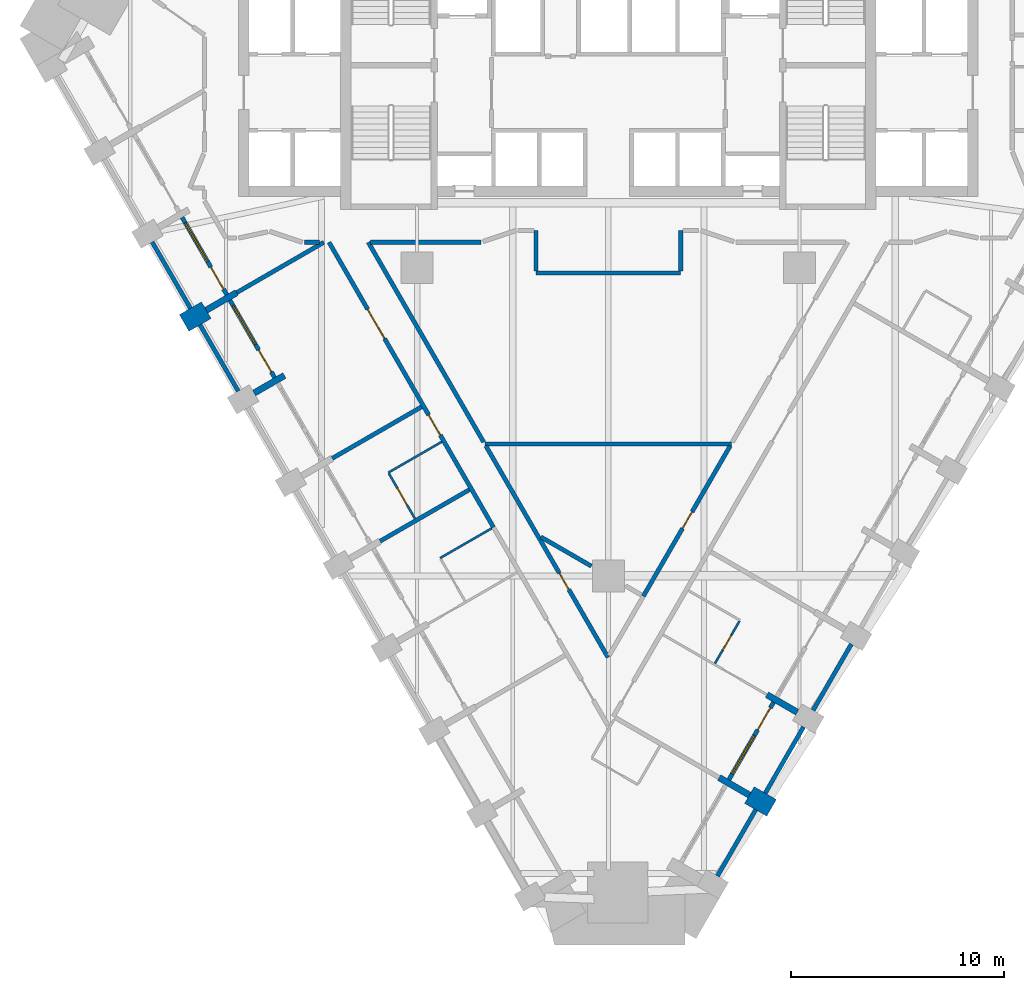
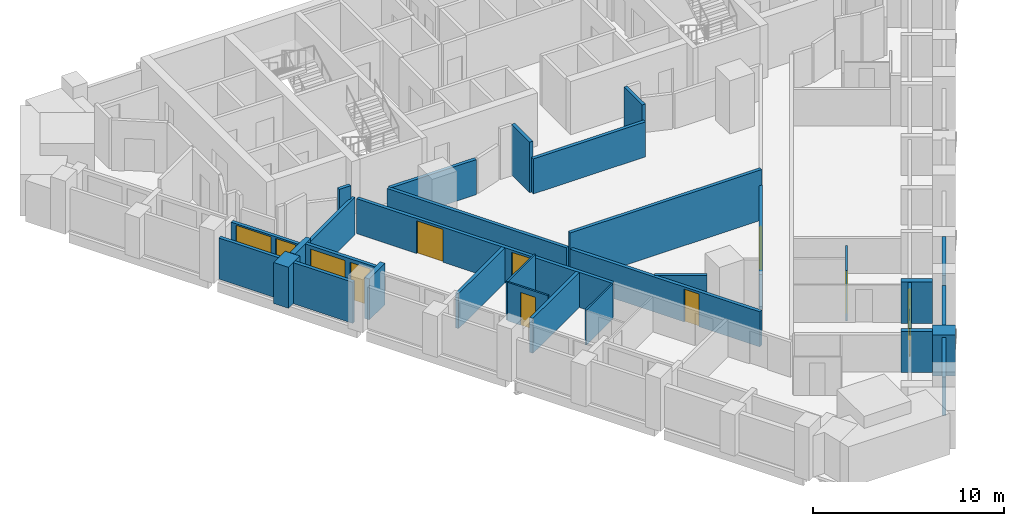
# One storey, part 4 of 11: 32 walls, 9 doors, 3 windows, 12 openings.
"""IFC4 building model written with IfcOpenShell, lengths in metres."""

from ifc_helpers import new_model, si_unit, direction, frame, frame_2d, origin, place, context, subcontext, project, spatial, polyline, rectangle, outline, extrude, material, layer, layer_set, type_object, element, fill, save


model = new_model("IFC4")

# Units and contexts
model_context = context("Model", 3, precision=1e-05, world=origin(), true_north=direction((0.0, 1.0)))
body_context = subcontext(model_context, "Body", "Model", "MODEL_VIEW")
ifc_project = project(units=[si_unit("LENGTHUNIT", "METRE"), si_unit("AREAUNIT", "SQUARE_METRE"), si_unit("VOLUMEUNIT", "CUBIC_METRE"), si_unit("PLANEANGLEUNIT", "RADIAN"), si_unit("MASSUNIT", "GRAM", prefix="KILO")], contexts=[model_context])

# Site, building, storey
site_placement = place(None, origin())
site = spatial("IfcSite", under=ifc_project, at=site_placement, CompositionType="ELEMENT")
building_placement = place(site_placement, origin())
building = spatial("IfcBuilding", under=site, at=building_placement, Name="Calabash Gate Tower", CompositionType="ELEMENT")
storey_placement = place(building_placement, frame((0.0, 0.0, 125.800048828125)))
storey = spatial("IfcBuildingStorey", under=building, at=storey_placement, Name="L29", CompositionType="ELEMENT", Elevation=125.800048828125)

# Walls
ifc_material_1 = material(Name="Terracotta brick masonry, exposed face", Category="masonry")
ifc_layer_1 = layer(ifc_material_1, 1.199951171875)
ifc_layer_set_1 = layer_set([ifc_layer_1], Name="Brick end wall 1200")
wall_type_1 = type_object("IfcWallType", Name="Brick end wall 1200", PredefinedType="SOLIDWALL", material=ifc_layer_set_1)
wall_1_placement = place(storey_placement, frame((-19.957763671875, -0.096923828125, 0.0), z_axis=(0.0, 0.0, 1.0), x_axis=(0.865955154139, 0.50012165622, 0.0)))
element("IfcWall", 1, at=wall_1_placement, inside=storey, type_object=wall_type_1, Name="Brick pier S08 SW0.3", PredefinedType="SOLIDWALL", context=body_context, shape_type="SweptSolid", body=[
    extrude(rectangle(XDim=1.199951171875, YDim=0.89990234375, at=frame_2d((0.60009765625, 0.0))), origin(), (0.0, 0.0, 1.0), 2.6298828125),
])
wall_2_placement = place(storey_placement, frame((7.67626953125, -22.9091796875, 0.0), z_axis=(0.0, 0.0, 1.0), x_axis=(-0.866094119867, 0.499880961361, 0.0)))
element("IfcWall", 2, at=wall_2_placement, inside=storey, type_object=wall_type_1, Name="Brick pier S08 SE2.1", PredefinedType="SOLIDWALL", context=body_context, shape_type="SweptSolid", body=[
    extrude(rectangle(XDim=1.199951171875, YDim=0.89990234375, at=frame_2d((0.60009765625, 0.0))), origin(), (0.0, 0.0, 1.0), 2.6279296875),
])
ifc_material_2 = material(Name="Terracotta brick masonry, exposed face", Category="masonry")
ifc_layer_2 = layer(ifc_material_2, 0.300048828125)
ifc_layer_set_2 = layer_set([ifc_layer_2], Name="Brick loggia cheek wall 300")
wall_type_2 = type_object("IfcWallType", Name="Brick loggia cheek wall 300", PredefinedType="SOLIDWALL", material=ifc_layer_set_2)
wall_3_placement = place(storey_placement, frame((-18.918701171875, 0.503173828125, 0.0), z_axis=(0.0, 0.0, 1.0), x_axis=(0.866040211805, 0.499974350878, 0.0)))
element("IfcWall", 3, at=wall_3_placement, inside=storey, type_object=wall_type_2, Name="Loggia cheek S08 SW0.3", PredefinedType="SOLIDWALL", context=body_context, shape_type="SweptSolid", body=[
    extrude(rectangle(XDim=1.64990234375, YDim=0.300048828125, at=frame_2d((0.824951171875, 0.0))), origin(), (0.0, 0.0, 1.0), 2.64990234375),
])
wall_4_placement = place(storey_placement, frame((-16.66845703125, -3.39404296875, 0.0), z_axis=(0.0, 0.0, 1.0), x_axis=(0.866003217194, 0.500038426333, 0.0)))
element("IfcWall", 4, at=wall_4_placement, inside=storey, type_object=wall_type_2, Name="Loggia cheek S08 SW0.4", PredefinedType="SOLIDWALL", context=body_context, shape_type="SweptSolid", body=[
    extrude(rectangle(XDim=1.649658203125, YDim=0.300048828125, at=frame_2d((0.82470703125, 0.0))), origin(), (0.0, 0.0, 1.0), 2.6279296875),
])
wall_5_placement = place(storey_placement, frame((6.636962890625, -22.309326171875, 0.0), z_axis=(0.0, 0.0, 1.0), x_axis=(-0.866040211805, 0.499974350878, 0.0)))
element("IfcWall", 5, at=wall_5_placement, inside=storey, type_object=wall_type_2, Name="Loggia cheek S08 SE2.1", PredefinedType="SOLIDWALL", context=body_context, shape_type="SweptSolid", body=[
    extrude(rectangle(XDim=1.64990234375, YDim=0.300048828125, at=frame_2d((0.824951171875, 0.0))), origin(), (0.0, 0.0, 1.0), 2.6279296875),
])
wall_6_placement = place(storey_placement, frame((8.886962890625, -18.412109375, 0.0), z_axis=(0.0, 0.0, 1.0), x_axis=(-0.866040211805, 0.499974350878, 0.0)))
element("IfcWall", 6, at=wall_6_placement, inside=storey, type_object=wall_type_2, Name="Loggia cheek S08 SE2.2", PredefinedType="SOLIDWALL", context=body_context, shape_type="SweptSolid", body=[
    extrude(rectangle(XDim=1.64990234375, YDim=0.300048828125, at=frame_2d((0.824951171875, 0.0))), origin(), (0.0, 0.0, 1.0), 2.64990234375),
])

# Wall, opening, door
ifc_material_3 = material(Name="Gypsum board on steel studs, mineral wool", Category="steel")
ifc_layer_3 = layer(ifc_material_3, 0.10009765625)
ifc_layer_set_3 = layer_set([ifc_layer_3], Name="Partition 100 gypsum board")
wall_type_3 = type_object("IfcWallType", Name="Partition 100 gypsum board", PredefinedType="PARTITIONING", material=ifc_layer_set_3)
wall_7_placement = place(storey_placement, frame((5.014404296875, -16.1162109375, 0.0), z_axis=(0.0, 0.0, 1.0), x_axis=(0.500617411337, 0.865668647617, 0.0)))
wall_7 = element("IfcWall", 7, at=wall_7_placement, inside=storey, type_object=wall_type_3, Name="Partition", PredefinedType="PARTITIONING", context=body_context, shape_type="SweptSolid", body=[
    extrude(rectangle(XDim=2.2978515625, YDim=0.10009765625, at=frame_2d((1.14892578125, 0.0))), origin(), (0.0, 0.0, 1.0), 3.22998046875),
])
opening_1_placement = place(wall_7_placement, frame((0.748046875, 0.0, 0.0)))
opening_1 = element("IfcOpeningElement", 8, at=opening_1_placement, cuts=wall_7, Name="Opening 28-30-009", PredefinedType="OPENING", context=body_context, shape_type="SweptSolid", body=[
    extrude(rectangle(XDim=0.800048828125, YDim=2.10009765625, at=frame_2d((0.39990234375, 1.050048828125))), frame((0.0, 0.06005859375, 0.0), z_axis=(0.0, -1.0, 0.0), x_axis=(1.0, 0.0, 0.0)), (0.0, 0.0, 1.0), 0.1201171875),
])
ifc_material_4 = material(Name="Painted timber door", Category="wood")
door_type_1 = type_object("IfcDoorType", Name="GD5 En-suite door 800x2100", OperationType="NOTDEFINED", PredefinedType="DOOR", material=ifc_material_4)
door_1_placement = place(opening_1_placement, origin())
door_1 = element("IfcDoor", 9, at=door_1_placement, inside=storey, type_object=door_type_1, Name="En-suite door", OperationType="SINGLE_SWING_RIGHT", OverallHeight=2.10009765625, OverallWidth=0.800048828125, PredefinedType="DOOR", context=body_context, shape_type="SweptSolid", body=[
    extrude(rectangle(XDim=0.800048828125, YDim=2.10009765625, at=frame_2d((0.39990234375, 1.050048828125))), frame((0.0, 0.02490234375, 0.0), z_axis=(0.0, -1.0, 0.0), x_axis=(1.0, 0.0, 0.0)), (0.0, 0.0, 1.0), 0.050048828125),
])
fill(opening_1, door_1)

# Wall
wall_8_placement = place(storey_placement, frame((-7.914306640625, -11.156982421875, 0.0), z_axis=(0.0, 0.0, 1.0), x_axis=(0.866288634608, 0.499543793424, 0.0)))
element("IfcWall", 10, at=wall_8_placement, inside=storey, type_object=wall_type_3, Name="Partition", PredefinedType="PARTITIONING", context=body_context, shape_type="SweptSolid", body=[
    extrude(rectangle(XDim=2.7998046875, YDim=0.10009765625, at=frame_2d((1.39990234375, 0.0))), origin(), (0.0, 0.0, 1.0), 2.24169921875),
])

# Wall, opening, door
wall_9_placement = place(storey_placement, frame((-10.325927734375, -7.179931640625, 0.0), z_axis=(0.0, 0.0, 1.0), x_axis=(0.500018594424, -0.866014668023, 0.0)))
wall_9 = element("IfcWall", 11, at=wall_9_placement, inside=storey, type_object=wall_type_3, Name="Partition", PredefinedType="PARTITIONING", context=body_context, shape_type="SweptSolid", body=[
    extrude(rectangle(XDim=2.4501953125, YDim=0.10009765625, at=frame_2d((1.22509765625, 0.0))), origin(), (0.0, 0.0, 1.0), 2.473388671875),
])
opening_2_placement = place(wall_9_placement, frame((0.800048828125, 0.0, 0.0)))
opening_2 = element("IfcOpeningElement", 12, at=opening_2_placement, cuts=wall_9, Name="Opening 28-30-003", PredefinedType="OPENING", context=body_context, shape_type="SweptSolid", body=[
    extrude(rectangle(XDim=0.89990234375, YDim=2.10009765625, at=frame_2d((0.449951171875, 1.050048828125))), frame((0.0, 0.06005859375, 0.0), z_axis=(0.0, -1.0, 0.0), x_axis=(1.0, 0.0, 0.0)), (0.0, 0.0, 1.0), 0.1201171875),
])
ifc_material_5 = material(Name="Painted timber door", Category="wood")
door_type_2 = type_object("IfcDoorType", Name="GD6 Accessible en-suite door 900x2100", OperationType="NOTDEFINED", PredefinedType="DOOR", material=ifc_material_5)
door_2_placement = place(opening_2_placement, origin())
door_2 = element("IfcDoor", 13, at=door_2_placement, inside=storey, type_object=door_type_2, Name="Accessible en-suite door", OperationType="SINGLE_SWING_LEFT", OverallHeight=2.10009765625, OverallWidth=0.89990234375, PredefinedType="DOOR", context=body_context, shape_type="SweptSolid", body=[
    extrude(rectangle(XDim=0.89990234375, YDim=2.10009765625, at=frame_2d((0.449951171875, 1.050048828125))), frame((0.0, 0.02490234375, 0.0), z_axis=(0.0, -1.0, 0.0), x_axis=(1.0, 0.0, 0.0)), (0.0, 0.0, 1.0), 0.050048828125),
])
fill(opening_2, door_2)

# Wall
wall_10_placement = place(storey_placement, frame((-10.350830078125, -7.13671875, 0.0), z_axis=(0.0, 0.0, 1.0), x_axis=(0.86625706142, 0.499598542372, 0.0)))
element("IfcWall", 14, at=wall_10_placement, inside=storey, type_object=wall_type_3, Name="Partition", PredefinedType="PARTITIONING", context=body_context, shape_type="SweptSolid", body=[
    extrude(rectangle(XDim=2.89990234375, YDim=0.10009765625, at=frame_2d((1.449951171875, 0.0))), origin(), (0.0, 0.0, 1.0), 2.473388671875),
])

# Wall, opening, door
ifc_material_6 = material(Name="Gypsum board on steel studs, mineral wool", Category="steel")
ifc_layer_4 = layer(ifc_material_6, 0.199951171875)
ifc_layer_set_4 = layer_set([ifc_layer_4], Name="Partition 200 gypsum board EI 60")
wall_type_4 = type_object("IfcWallType", Name="Partition 200 gypsum board EI 60", PredefinedType="PARTITIONING", material=ifc_layer_set_4)
wall_11_placement = place(storey_placement, frame((1.646728515625, -12.948486328125, 0.0), z_axis=(0.0, 0.0, 1.0), x_axis=(0.500209850425, 0.865904212681, 0.0)))
wall_11 = element("IfcWall", 15, at=wall_11_placement, inside=storey, type_object=wall_type_4, Name="Partition", PredefinedType="PARTITIONING", context=body_context, shape_type="SweptSolid", body=[
    extrude(rectangle(XDim=8.16552734375, YDim=0.199951171875, at=frame_2d((4.082763671875, 0.0))), origin(), (0.0, 0.0, 1.0), 2.24169921875),
])
opening_3_placement = place(wall_11_placement, frame((3.681884765625, 0.0, 0.0)))
opening_3 = element("IfcOpeningElement", 16, at=opening_3_placement, cuts=wall_11, Name="Opening 28-30-013", PredefinedType="OPENING", context=body_context, shape_type="SweptSolid", body=[
    extrude(rectangle(XDim=0.89990234375, YDim=2.10009765625, at=frame_2d((0.449951171875, 1.050048828125))), frame((0.0, 0.10986328125, 0.0), z_axis=(0.0, -1.0, 0.0), x_axis=(1.0, 0.0, 0.0)), (0.0, 0.0, 1.0), 0.219970703125),
])
ifc_material_7 = material(Name="Steel fire door set with fire-resisting glazing", Category="steel")
door_type_3 = type_object("IfcDoorType", Name="SD3 Store door 900x2100", OperationType="NOTDEFINED", PredefinedType="DOOR", material=ifc_material_7)
door_3_placement = place(opening_3_placement, origin())
door_3 = element("IfcDoor", 17, at=door_3_placement, inside=storey, type_object=door_type_3, Name="Store door", OperationType="SINGLE_SWING_RIGHT", OverallHeight=2.10009765625, OverallWidth=0.89990234375, PredefinedType="DOOR", context=body_context, shape_type="SweptSolid", body=[
    extrude(rectangle(XDim=0.89990234375, YDim=2.10009765625, at=frame_2d((0.449951171875, 1.050048828125))), frame((0.0, 0.02490234375, 0.0), z_axis=(0.0, -1.0, 0.0), x_axis=(1.0, 0.0, 0.0)), (0.0, 0.0, 1.0), 0.050048828125),
])
fill(opening_3, door_3)

# Wall
wall_12_placement = place(storey_placement, frame((-3.17138671875, -10.167724609375, 0.0), z_axis=(0.0, 0.0, 1.0), x_axis=(0.865863357012, -0.500280568265, 0.0)))
element("IfcWall", 18, at=wall_12_placement, inside=storey, type_object=wall_type_4, Name="Partition", PredefinedType="PARTITIONING", context=body_context, shape_type="SweptSolid", body=[
    extrude(rectangle(XDim=2.73876953125, YDim=0.199951171875, at=frame_2d((1.369384765625, 0.0))), origin(), (0.0, 0.0, 1.0), 2.24169921875),
])

# Wall, openings, doors
wall_13_placement = place(storey_placement, frame((-13.143310546875, 3.69970703125, 0.0), z_axis=(0.0, 0.0, 1.0), x_axis=(0.499816656841, -0.866131231133, 0.0)))
wall_13 = element("IfcWall", 19, at=wall_13_placement, inside=storey, type_object=wall_type_4, Name="Partition", PredefinedType="PARTITIONING", context=body_context, shape_type="SweptSolid", body=[
    extrude(rectangle(XDim=15.480224609375, YDim=0.199951171875, at=frame_2d((7.740234375, 0.0))), origin(), (0.0, 0.0, 1.0), 2.24169921875),
])
opening_4_placement = place(wall_13_placement, frame((3.640380859375, 0.0, 0.0)))
opening_4 = element("IfcOpeningElement", 20, at=opening_4_placement, cuts=wall_13, Name="Opening 28-30-001", PredefinedType="OPENING", context=body_context, shape_type="SweptSolid", body=[
    extrude(rectangle(XDim=1.60009765625, YDim=2.10009765625, at=frame_2d((0.800048828125, 1.050048828125))), frame((0.0, 0.10986328125, 0.0), z_axis=(0.0, -1.0, 0.0), x_axis=(1.0, 0.0, 0.0)), (0.0, 0.0, 1.0), 0.219970703125),
])
opening_5_placement = place(wall_13_placement, frame((9.380859375, 0.0, 0.0)))
opening_5 = element("IfcOpeningElement", 21, at=opening_5_placement, cuts=wall_13, Name="Opening 28-30-002", PredefinedType="OPENING", context=body_context, shape_type="SweptSolid", body=[
    extrude(rectangle(XDim=1.10009765625, YDim=2.10009765625, at=frame_2d((0.550048828125, 1.050048828125))), frame((0.0, 0.10986328125, 0.0), z_axis=(0.0, -1.0, 0.0), x_axis=(1.0, 0.0, 0.0)), (0.0, 0.0, 1.0), 0.219970703125),
])
ifc_material_8 = material(Name="Steel fire door set with fire-resisting glazing", Category="steel")
door_type_4 = type_object("IfcDoorType", Name="GD2 Accessible guest room entrance door 1100x2100", OperationType="NOTDEFINED", PredefinedType="DOOR", material=ifc_material_8)
door_4_placement = place(opening_5_placement, origin())
door_4 = element("IfcDoor", 22, at=door_4_placement, inside=storey, type_object=door_type_4, Name="Accessible guest room entrance door", OperationType="SINGLE_SWING_RIGHT", OverallHeight=2.10009765625, OverallWidth=1.10009765625, PredefinedType="DOOR", context=body_context, shape_type="SweptSolid", body=[
    extrude(rectangle(XDim=1.10009765625, YDim=2.10009765625, at=frame_2d((0.550048828125, 1.050048828125))), frame((0.0, 0.02490234375, 0.0), z_axis=(0.0, -1.0, 0.0), x_axis=(1.0, 0.0, 0.0)), (0.0, 0.0, 1.0), 0.050048828125),
])
fill(opening_5, door_4)
ifc_material_9 = material(Name="Steel fire door set with fire-resisting glazing", Category="steel")
door_type_5 = type_object("IfcDoorType", Name="LD1 Lounge double door 1600x2100", OperationType="NOTDEFINED", PredefinedType="DOOR", material=ifc_material_9)
door_5_placement = place(opening_4_placement, origin())
door_5 = element("IfcDoor", 23, at=door_5_placement, inside=storey, type_object=door_type_5, Name="Lounge double door", OperationType="DOUBLE_DOOR_SINGLE_SWING", OverallHeight=2.10009765625, OverallWidth=1.60009765625, PredefinedType="DOOR", context=body_context, shape_type="SweptSolid", body=[
    extrude(rectangle(XDim=1.60009765625, YDim=2.10009765625, at=frame_2d((0.800048828125, 1.050048828125))), frame((0.0, 0.02490234375, 0.0), z_axis=(0.0, -1.0, 0.0), x_axis=(1.0, 0.0, 0.0)), (0.0, 0.0, 1.0), 0.050048828125),
])
fill(opening_4, door_5)

# Wall
wall_14_placement = place(storey_placement, frame((-10.739501953125, -10.36328125, 0.0), z_axis=(0.0, 0.0, 1.0), x_axis=(0.866231677814, 0.499642552583, 0.0)))
element("IfcWall", 24, at=wall_14_placement, inside=storey, type_object=wall_type_4, Name="Partition", PredefinedType="PARTITIONING", context=body_context, shape_type="SweptSolid", body=[
    extrude(rectangle(XDim=4.849609375, YDim=0.199951171875, at=frame_2d((2.4248046875, 0.0))), origin(), (0.0, 0.0, 1.0), 2.24169921875),
])

# Wall, opening, door
wall_15_placement = place(storey_placement, frame((-5.7626953125, -5.8798828125, 0.0), z_axis=(0.0, 0.0, 1.0), x_axis=(0.500006842847, -0.866021453029, 0.0)))
wall_15 = element("IfcWall", 25, at=wall_15_placement, inside=storey, type_object=wall_type_4, Name="Partition", PredefinedType="PARTITIONING", context=body_context, shape_type="SweptSolid", body=[
    extrude(rectangle(XDim=11.493408203125, YDim=0.199951171875, at=frame_2d((5.74658203125, 0.0))), origin(), (0.0, 0.0, 1.0), 2.24169921875),
])
opening_6_placement = place(wall_15_placement, frame((6.914306640625, 0.0, 0.0)))
opening_6 = element("IfcOpeningElement", 26, at=opening_6_placement, cuts=wall_15, Name="Opening 28-30-012", PredefinedType="OPENING", context=body_context, shape_type="SweptSolid", body=[
    extrude(rectangle(XDim=0.89990234375, YDim=2.10009765625, at=frame_2d((0.449951171875, 1.050048828125))), frame((0.0, 0.10986328125, 0.0), z_axis=(0.0, -1.0, 0.0), x_axis=(1.0, 0.0, 0.0)), (0.0, 0.0, 1.0), 0.219970703125),
])
door_6_placement = place(opening_6_placement, origin())
door_6 = element("IfcDoor", 27, at=door_6_placement, inside=storey, type_object=door_type_3, Name="Store door", OperationType="SINGLE_SWING_RIGHT", OverallHeight=2.10009765625, OverallWidth=0.89990234375, PredefinedType="DOOR", context=body_context, shape_type="SweptSolid", body=[
    extrude(rectangle(XDim=0.89990234375, YDim=2.10009765625, at=frame_2d((0.449951171875, 1.050048828125))), frame((0.0, 0.02490234375, 0.0), z_axis=(0.0, -1.0, 0.0), x_axis=(1.0, 0.0, 0.0)), (0.0, 0.0, 1.0), 0.050048828125),
])
fill(opening_6, door_6)

# Walls
wall_16_placement = place(storey_placement, frame((-5.8125, -5.793212890625, 0.0), z_axis=(0.0, 0.0, 1.0), x_axis=(0.999999989135, 0.000147408763, 0.0)))
element("IfcWall", 28, at=wall_16_placement, inside=storey, type_object=wall_type_4, Name="Partition", PredefinedType="PARTITIONING", context=body_context, shape_type="SweptSolid", body=[
    extrude(rectangle(XDim=11.593505859375, YDim=0.199951171875, at=frame_2d((5.796875, 0.0))), origin(), (0.0, 0.0, 1.0), 3.22998046875),
])
wall_17_placement = place(storey_placement, frame((-12.989501953125, -6.46630859375, 0.0), z_axis=(0.0, 0.0, 1.0), x_axis=(0.866209889287, 0.49968032551, 0.0)))
element("IfcWall", 29, at=wall_17_placement, inside=storey, type_object=wall_type_4, Name="Partition", PredefinedType="PARTITIONING", context=body_context, shape_type="SweptSolid", body=[
    extrude(rectangle(XDim=4.849853515625, YDim=0.199951171875, at=frame_2d((2.4248046875, 0.0))), origin(), (0.0, 0.0, 1.0), 2.24169921875),
])
wall_18_placement = place(storey_placement, frame((-17.489990234375, 1.32861328125, 0.0), z_axis=(0.0, 0.0, 1.0), x_axis=(0.865884411482, 0.500244126355, 0.0)))
element("IfcWall", 30, at=wall_18_placement, inside=storey, type_object=wall_type_4, Name="Partition", PredefinedType="PARTITIONING", context=body_context, shape_type="SweptSolid", body=[
    extrude(rectangle(XDim=4.739501953125, YDim=0.199951171875, at=frame_2d((2.36962890625, 0.0))), origin(), (0.0, 0.0, 1.0), 2.384033203125),
])
wall_19_placement = place(storey_placement, frame((-3.400146484375, 2.25244140625, 0.0), z_axis=(0.0, 0.0, 1.0), x_axis=(1.0, 0.0, 0.0)))
element("IfcWall", 31, at=wall_19_placement, inside=storey, type_object=wall_type_4, Name="Partition", PredefinedType="PARTITIONING", context=body_context, shape_type="SweptSolid", body=[
    extrude(rectangle(XDim=6.800048828125, YDim=0.199951171875, at=frame_2d((3.39990234375, 0.0))), origin(), (0.0, 0.0, 1.0), 2.24169921875),
])
wall_20_placement = place(storey_placement, frame((-3.402099609375, 4.25048828125, 0.0), z_axis=(0.0, 0.0, 1.0), x_axis=(0.001028938362, -0.999999470643, 0.0)))
element("IfcWall", 32, at=wall_20_placement, inside=storey, type_object=wall_type_4, Name="Partition", PredefinedType="PARTITIONING", context=body_context, shape_type="SweptSolid", body=[
    extrude(rectangle(XDim=1.898193359375, YDim=0.199951171875, at=frame_2d((0.94921875, 0.0))), origin(), (0.0, 0.0, 1.0), 3.22998046875),
])
wall_21_placement = place(storey_placement, frame((-14.300048828125, 3.699462890625, 0.0), z_axis=(0.0, 0.0, 1.0), x_axis=(0.999998529944, -0.00171467512, 0.0)))
element("IfcWall", 33, at=wall_21_placement, inside=storey, type_object=wall_type_4, Name="Partition", PredefinedType="PARTITIONING", context=body_context, shape_type="SweptSolid", body=[
    extrude(rectangle(XDim=0.7119140625, YDim=0.199951171875, at=frame_2d((0.35595703125, 0.0))), origin(), (0.0, 0.0, 1.0), 3.22998046875),
])
wall_22_placement = place(storey_placement, frame((-11.29541015625, 3.69970703125, 0.0), z_axis=(0.0, 0.0, 1.0), x_axis=(0.500007885066, -0.866020851292, 0.0)))
element("IfcWall", 34, at=wall_22_placement, inside=storey, type_object=wall_type_4, Name="Partition", PredefinedType="PARTITIONING", context=body_context, shape_type="SweptSolid", body=[
    extrude(rectangle(XDim=10.859130859375, YDim=0.199951171875, at=frame_2d((5.4296875, 0.0))), origin(), (0.0, 0.0, 1.0), 2.24169921875),
])
wall_23_placement = place(storey_placement, frame((-11.1953125, 3.69970703125, 0.0), z_axis=(0.0, 0.0, 1.0), x_axis=(1.0, 0.0, 0.0)))
element("IfcWall", 35, at=wall_23_placement, inside=storey, type_object=wall_type_4, Name="Partition", PredefinedType="PARTITIONING", context=body_context, shape_type="SweptSolid", body=[
    extrude(rectangle(XDim=5.1953125, YDim=0.199951171875, at=frame_2d((2.59765625, 0.0))), origin(), (0.0, 0.0, 1.0), 2.24169921875),
])
wall_24_placement = place(storey_placement, frame((3.400146484375, 2.352294921875, 0.0), z_axis=(0.0, 0.0, 1.0), x_axis=(0.001028938362, 0.999999470643, 0.0)))
element("IfcWall", 36, at=wall_24_placement, inside=storey, type_object=wall_type_4, Name="Partition", PredefinedType="PARTITIONING", context=body_context, shape_type="SweptSolid", body=[
    extrude(rectangle(XDim=1.898193359375, YDim=0.199951171875, at=frame_2d((0.94921875, 0.0))), origin(), (0.0, 0.0, 1.0), 3.22998046875),
])
ifc_material_10 = material(Name="Terracotta brick masonry, perforated", Category="masonry")
ifc_layer_5 = layer(ifc_material_10, 0.199951171875)
ifc_layer_set_5 = layer_set([ifc_layer_5], Name="Terracotta jaali screen B")
wall_type_5 = type_object("IfcWallType", Name="Terracotta jaali screen B", PredefinedType="SOLIDWALL", material=ifc_layer_set_5)
wall_25_placement = place(storey_placement, frame((-21.463134765625, 3.71044921875, 0.0), z_axis=(0.0, 0.0, 1.0), x_axis=(0.500012057535, -0.866018442252, 0.0)))
element("IfcWall", 37, at=wall_25_placement, inside=storey, type_object=wall_type_5, Name="SCREEN B S08 SW0.3", PredefinedType="SOLIDWALL", context=body_context, shape_type="SweptSolid", body=[
    extrude(rectangle(XDim=3.60009765625, YDim=0.199951171875, at=frame_2d((1.800048828125, 0.0))), origin(), (0.0, 0.0, 1.0), 2.6298828125),
])
wall_26_placement = place(storey_placement, frame((-19.213134765625, -0.1865234375, 0.0), z_axis=(0.0, 0.0, 1.0), x_axis=(0.499982693035, -0.866035395735, 0.0)))
element("IfcWall", 38, at=wall_26_placement, inside=storey, type_object=wall_type_5, Name="SCREEN B S08 SW0.4", PredefinedType="SOLIDWALL", context=body_context, shape_type="SweptSolid", body=[
    extrude(rectangle(XDim=3.600341796875, YDim=0.199951171875, at=frame_2d((1.80029296875, 0.0))), origin(), (0.0, 0.0, 1.0), 2.6298828125),
])
wall_27_placement = place(storey_placement, origin())
element("IfcWall", 39, at=wall_27_placement, inside=storey, type_object=wall_type_5, Name="SCREEN B S08 SE2.1", PredefinedType="SOLIDWALL", context=body_context, shape_type="SweptSolid", body=[
    extrude(outline(polyline([(6.844970703125, -22.948974609375), (5.045166015625, -26.066162109375), (5.218505859375, -26.166259765625), (7.01806640625, -23.049072265625), (6.844970703125, -22.948974609375)])), origin(), (0.0, 0.0, 1.0), 2.449951171875),
])
for number, where, z_axis, x_axis, name in (
    (40, (7.381591796875, -22.219482421875, 0.0), (0.0, 0.0, 1.0), (0.500012057535, 0.866018442252, 0.0), "SCREEN B S08 SE2.2"),
    (41, (9.631591796875, -18.322509765625, 0.0), (0.0, 0.0, 1.0), (0.500012057535, 0.866018442252, 0.0), "SCREEN B S08 SE2.3"),
):
    element("IfcWall", number, at=place(storey_placement, frame(where, z_axis=z_axis, x_axis=x_axis)), inside=storey, type_object=wall_type_5, Name=name, PredefinedType="SOLIDWALL", context=body_context, shape_type="SweptSolid", body=[
        extrude(rectangle(XDim=3.60009765625, YDim=0.199951171875, at=frame_2d((1.800048828125, 0.0))), origin(), (0.0, 0.0, 1.0), 2.6298828125),
    ])

# Wall, openings, door, window
ifc_material_11 = material(Name="Aluminium framed window wall with insulated spandrel", Category="aluminium")
ifc_layer_6 = layer(ifc_material_11, 0.199951171875)
ifc_layer_set_6 = layer_set([ifc_layer_6], Name="Window wall 200")
wall_type_6 = type_object("IfcWallType", Name="Window wall 200", PredefinedType="ELEMENTEDWALL", material=ifc_layer_set_6)
wall_28_placement = place(storey_placement, frame((-20.054443359375, 4.870361328125, 0.0), z_axis=(0.0, 0.0, 1.0), x_axis=(0.500002543286, -0.866023935413, 0.0)))
wall_28 = element("IfcWall", 42, at=wall_28_placement, inside=storey, type_object=wall_type_6, Name="Window wall S08 SW0.3", PredefinedType="ELEMENTEDWALL", context=body_context, shape_type="SweptSolid", body=[
    extrude(rectangle(XDim=4.2001953125, YDim=0.199951171875, at=frame_2d((2.10009765625, 0.0))), origin(), (0.0, 0.0, 1.0), 2.449951171875),
])
opening_7_placement = place(wall_28_placement, frame((0.300048828125, 0.0, 0.60009765625)))
opening_7 = element("IfcOpeningElement", 43, at=opening_7_placement, cuts=wall_28, Name="Opening HW1L-1750", PredefinedType="OPENING", context=body_context, shape_type="SweptSolid", body=[
    extrude(rectangle(XDim=2.10009765625, YDim=1.75, at=frame_2d((1.050048828125, 0.875))), frame((0.0, 0.10986328125, 0.0), z_axis=(0.0, -1.0, 0.0), x_axis=(1.0, 0.0, 0.0)), (0.0, 0.0, 1.0), 0.219970703125),
])
opening_8_placement = place(wall_28_placement, frame((2.699951171875, 0.0, 0.0)))
opening_8 = element("IfcOpeningElement", 44, at=opening_8_placement, cuts=wall_28, Name="Opening H8-028", PredefinedType="OPENING", context=body_context, shape_type="SweptSolid", body=[
    extrude(rectangle(XDim=1.199951171875, YDim=2.35009765625, at=frame_2d((0.60009765625, 1.175048828125))), frame((0.0, 0.10986328125, 0.0), z_axis=(0.0, -1.0, 0.0), x_axis=(1.0, 0.0, 0.0)), (0.0, 0.0, 1.0), 0.219970703125),
])
ifc_material_12 = material(Name="Anodised aluminium frame, bronze finish, impact-rated laminated clear glazing", Category="aluminium")
door_type_6 = type_object("IfcDoorType", Name="Loggia door DH1L-2350 1200x2350", OperationType="SLIDING_TO_LEFT", PredefinedType="DOOR", material=ifc_material_12)
door_7_placement = place(opening_8_placement, origin())
door_7 = element("IfcDoor", 45, at=door_7_placement, inside=storey, type_object=door_type_6, Name="Loggia door S08 SW0.3", OperationType="SINGLE_SWING_LEFT", OverallHeight=2.35009765625, OverallWidth=1.199951171875, PredefinedType="DOOR", context=body_context, shape_type="SweptSolid", body=[
    extrude(rectangle(XDim=1.199951171875, YDim=2.35009765625, at=frame_2d((0.60009765625, 1.175048828125))), frame((0.0, 0.02490234375, 0.0), z_axis=(0.0, -1.0, 0.0), x_axis=(1.0, 0.0, 0.0)), (0.0, 0.0, 1.0), 0.050048828125),
])
fill(opening_8, door_7)
ifc_material_13 = material(Name="Anodised aluminium frame, bronze finish, impact-rated laminated clear glazing", Category="aluminium")
window_type_1 = type_object("IfcWindowType", Name="Window HW1L 2100x1750", PartitioningType="DOUBLE_PANEL_VERTICAL", PredefinedType="WINDOW", material=ifc_material_13)
window_1_placement = place(opening_7_placement, origin())
window_1 = element("IfcWindow", 46, at=window_1_placement, inside=storey, type_object=window_type_1, Name="Window HW1 S08 SW0.3", OverallHeight=1.75, OverallWidth=2.10009765625, PartitioningType="SINGLE_PANEL", PredefinedType="WINDOW", context=body_context, shape_type="SweptSolid", body=[
    extrude(rectangle(XDim=2.10009765625, YDim=1.75, at=frame_2d((1.050048828125, 0.875))), frame((0.0, 0.030029296875, 0.0), z_axis=(0.0, -1.0, 0.0), x_axis=(1.0, 0.0, 0.0)), (0.0, 0.0, 1.0), 0.06005859375),
])
fill(opening_7, window_1)

wall_29_placement = place(storey_placement, frame((-17.804443359375, 0.97314453125, 0.0), z_axis=(0.0, 0.0, 1.0), x_axis=(0.500027713859, -0.866009402589, 0.0)))
wall_29 = element("IfcWall", 47, at=wall_29_placement, inside=storey, type_object=wall_type_6, Name="Window wall S08 SW0.4", PredefinedType="ELEMENTEDWALL", context=body_context, shape_type="SweptSolid", body=[
    extrude(rectangle(XDim=4.199951171875, YDim=0.199951171875, at=frame_2d((2.10009765625, 0.0))), origin(), (0.0, 0.0, 1.0), 2.6279296875),
])
opening_9_placement = place(wall_29_placement, frame((0.300048828125, 0.0, 0.60009765625)))
opening_9 = element("IfcOpeningElement", 48, at=opening_9_placement, cuts=wall_29, Name="Opening HW1", PredefinedType="OPENING", context=body_context, shape_type="SweptSolid", body=[
    extrude(rectangle(XDim=2.10009765625, YDim=1.800048828125, at=frame_2d((1.050048828125, 0.89990234375))), frame((0.0, 0.10986328125, 0.0), z_axis=(0.0, -1.0, 0.0), x_axis=(1.0, 0.0, 0.0)), (0.0, 0.0, 1.0), 0.219970703125),
])
opening_10_placement = place(wall_29_placement, frame((2.699951171875, 0.0, 0.0)))
opening_10 = element("IfcOpeningElement", 49, at=opening_10_placement, cuts=wall_29, Name="Opening H8-029", PredefinedType="OPENING", context=body_context, shape_type="SweptSolid", body=[
    extrude(rectangle(XDim=1.199951171875, YDim=2.39990234375, at=frame_2d((0.60009765625, 1.199951171875))), frame((0.0, 0.10986328125, 0.0), z_axis=(0.0, -1.0, 0.0), x_axis=(1.0, 0.0, 0.0)), (0.0, 0.0, 1.0), 0.219970703125),
])
ifc_material_14 = material(Name="Anodised aluminium frame, bronze finish, impact-rated laminated clear glazing", Category="aluminium")
door_type_7 = type_object("IfcDoorType", Name="Loggia door DH1 1200x2400", OperationType="SLIDING_TO_LEFT", PredefinedType="DOOR", material=ifc_material_14)
door_8_placement = place(opening_10_placement, origin())
door_8 = element("IfcDoor", 50, at=door_8_placement, inside=storey, type_object=door_type_7, Name="Loggia door S08 SW0.4", OperationType="SINGLE_SWING_LEFT", OverallHeight=2.39990234375, OverallWidth=1.199951171875, PredefinedType="DOOR", context=body_context, shape_type="SweptSolid", body=[
    extrude(rectangle(XDim=1.199951171875, YDim=2.39990234375, at=frame_2d((0.60009765625, 1.199951171875))), frame((0.0, 0.02490234375, 0.0), z_axis=(0.0, -1.0, 0.0), x_axis=(1.0, 0.0, 0.0)), (0.0, 0.0, 1.0), 0.050048828125),
])
fill(opening_10, door_8)
ifc_material_15 = material(Name="Anodised aluminium frame, bronze finish, impact-rated laminated clear glazing", Category="aluminium")
window_type_2 = type_object("IfcWindowType", Name="Window HW1 2100x1800", PartitioningType="DOUBLE_PANEL_VERTICAL", PredefinedType="WINDOW", material=ifc_material_15)
window_2_placement = place(opening_9_placement, origin())
window_2 = element("IfcWindow", 51, at=window_2_placement, inside=storey, type_object=window_type_2, Name="Window HW1 S08 SW0.4", OverallHeight=1.800048828125, OverallWidth=2.10009765625, PartitioningType="SINGLE_PANEL", PredefinedType="WINDOW", context=body_context, shape_type="SweptSolid", body=[
    extrude(rectangle(XDim=2.10009765625, YDim=1.800048828125, at=frame_2d((1.050048828125, 0.89990234375))), frame((0.0, 0.030029296875, 0.0), z_axis=(0.0, -1.0, 0.0), x_axis=(1.0, 0.0, 0.0)), (0.0, 0.0, 1.0), 0.06005859375),
])
fill(opening_9, window_2)

wall_30_placement = place(storey_placement, frame((5.6728515625, -21.579345703125, 0.0), z_axis=(0.0, 0.0, 1.0), x_axis=(0.49998411664, 0.866034573852, 0.0)))
wall_30 = element("IfcWall", 52, at=wall_30_placement, inside=storey, type_object=wall_type_6, Name="Window wall S08 SE2.2", PredefinedType="ELEMENTEDWALL", context=body_context, shape_type="SweptSolid", body=[
    extrude(rectangle(XDim=4.199951171875, YDim=0.199951171875, at=frame_2d((2.10009765625, 0.0))), origin(), (0.0, 0.0, 1.0), 2.6279296875),
])
opening_11_placement = place(wall_30_placement, frame((0.300048828125, 0.0, 0.60009765625)))
opening_11 = element("IfcOpeningElement", 53, at=opening_11_placement, cuts=wall_30, Name="Opening HW1", PredefinedType="OPENING", context=body_context, shape_type="SweptSolid", body=[
    extrude(rectangle(XDim=2.10009765625, YDim=1.800048828125, at=frame_2d((1.050048828125, 0.89990234375))), frame((0.0, 0.10986328125, 0.0), z_axis=(0.0, -1.0, 0.0), x_axis=(1.0, 0.0, 0.0)), (0.0, 0.0, 1.0), 0.219970703125),
])
opening_12_placement = place(wall_30_placement, frame((2.699951171875, 0.0, 0.0)))
opening_12 = element("IfcOpeningElement", 54, at=opening_12_placement, cuts=wall_30, Name="Opening H8-019", PredefinedType="OPENING", context=body_context, shape_type="SweptSolid", body=[
    extrude(rectangle(XDim=1.199951171875, YDim=2.39990234375, at=frame_2d((0.60009765625, 1.199951171875))), frame((0.0, 0.10986328125, 0.0), z_axis=(0.0, -1.0, 0.0), x_axis=(1.0, 0.0, 0.0)), (0.0, 0.0, 1.0), 0.219970703125),
])
door_9_placement = place(opening_12_placement, origin())
door_9 = element("IfcDoor", 55, at=door_9_placement, inside=storey, type_object=door_type_7, Name="Loggia door S08 SE2.2", OperationType="SINGLE_SWING_LEFT", OverallHeight=2.39990234375, OverallWidth=1.199951171875, PredefinedType="DOOR", context=body_context, shape_type="SweptSolid", body=[
    extrude(rectangle(XDim=1.199951171875, YDim=2.39990234375, at=frame_2d((0.60009765625, 1.199951171875))), frame((0.0, 0.02490234375, 0.0), z_axis=(0.0, -1.0, 0.0), x_axis=(1.0, 0.0, 0.0)), (0.0, 0.0, 1.0), 0.050048828125),
])
fill(opening_12, door_9)
window_3_placement = place(opening_11_placement, origin())
window_3 = element("IfcWindow", 56, at=window_3_placement, inside=storey, type_object=window_type_2, Name="Window HW1 S08 SE2.2", OverallHeight=1.800048828125, OverallWidth=2.10009765625, PartitioningType="SINGLE_PANEL", PredefinedType="WINDOW", context=body_context, shape_type="SweptSolid", body=[
    extrude(rectangle(XDim=2.10009765625, YDim=1.800048828125, at=frame_2d((1.050048828125, 0.89990234375))), frame((0.0, 0.030029296875, 0.0), z_axis=(0.0, -1.0, 0.0), x_axis=(1.0, 0.0, 0.0)), (0.0, 0.0, 1.0), 0.06005859375),
])
fill(opening_11, window_3)

save(model, "model.ifc")
